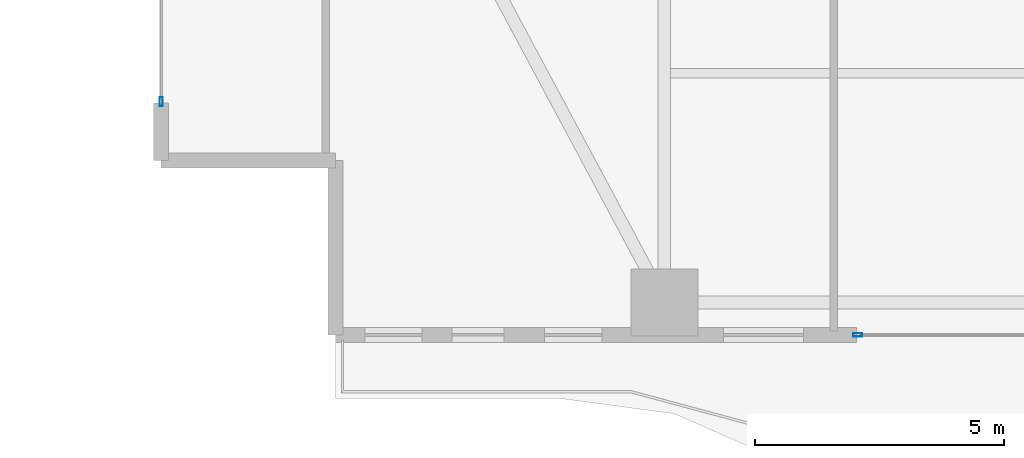
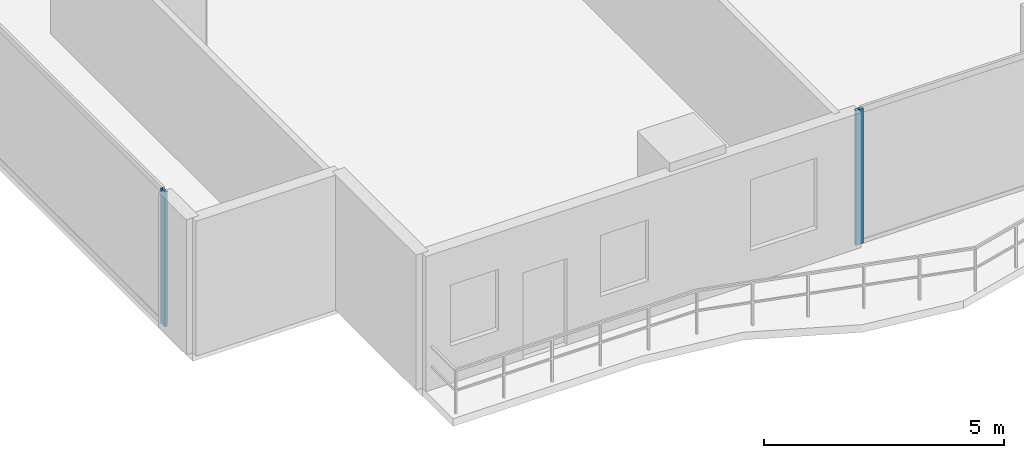
# One storey, part 2 of 28: 2 members, 2 elements without a shape of their own.
"""IFC4 building model written with IfcOpenShell, lengths in metres."""

from ifc_helpers import new_model, si_unit, direction, frame, origin, origin_2d, place, context, subcontext, project, spatial, hollow_rectangle, extrude, material, layer, layer_set, material_profile, profile_set, type_object, element, aggregate, save


model = new_model("IFC4")

# Units and contexts
model_context = context("Model", 3, precision=1e-05, world=origin(), true_north=direction((0.0, 1.0)))
body_context = subcontext(model_context, "Body", "Model", "MODEL_VIEW")
ifc_project = project(units=[si_unit("LENGTHUNIT", "METRE"), si_unit("AREAUNIT", "SQUARE_METRE"), si_unit("VOLUMEUNIT", "CUBIC_METRE"), si_unit("PLANEANGLEUNIT", "RADIAN"), si_unit("MASSUNIT", "GRAM", prefix="KILO")], contexts=[model_context])

# Site, building, storey
site_placement = place(None, origin())
site = spatial("IfcSite", under=ifc_project, at=site_placement, CompositionType="ELEMENT")
building_placement = place(site_placement, origin())
building = spatial("IfcBuilding", under=site, at=building_placement, Name="Zuhayl Quay Hotel", CompositionType="ELEMENT")
storey_placement = place(building_placement, frame((0.0, 0.0, 146.75)))
storey = spatial("IfcBuildingStorey", under=building, at=storey_placement, Name="L37", CompositionType="ELEMENT", Elevation=146.75)

# Curtain wall, member
ifc_material_1 = material(Name="Anodised Aluminium 6063-T6", Category="aluminium")
ifc_layer = layer(ifc_material_1, 0.179931640625, Name="Anodised Aluminium 6063-T6", Category="aluminium")
ifc_layer_set = layer_set([ifc_layer], Name="Anodised Aluminium 6063-T6")
curtain_wall_type = type_object("IfcCurtainWallType", Name="CW_SYS_Z2", PredefinedType="USERDEFINED", material=ifc_layer_set)
curtain_wall_1_placement = place(storey_placement, origin())
curtain_wall_1 = element("IfcCurtainWall", 1, at=curtain_wall_1_placement, inside=storey, type_object=curtain_wall_type, Name="L37 Curtain Wall ENV_L37_E02_CW1", ObjectType="UNITISED CURTAIN WALL", PredefinedType="USERDEFINED")
ifc_material_2 = material(Name="Black-anodised aluminium 6063-T6", Category="aluminium")
ifc_material_profile = material_profile(ifc_material_2, hollow_rectangle(XDim=0.06494140625, YDim=0.179931640625, WallThickness=0.00341796875, at=origin_2d()), Name="ALU180X65")
ifc_profile_set = profile_set([ifc_material_profile], Name="Black-anodised aluminium 6063-T6")
member_type = type_object("IfcMemberType", Name="MB_CW_MUL_180", PredefinedType="MULLION", material=ifc_profile_set)
member_1_placement = place(storey_placement, frame((-23.89990234375, -10.717529296875, 0.0), z_axis=(0.0, 0.0, 1.0), x_axis=(-1.0, 0.0, 0.0)))
member_1 = element("IfcMember", 2, at=member_1_placement, type_object=member_type, Name="CW-Z2 mullion 1", PredefinedType="MULLION", context=body_context, shape_type="SweptSolid", body=[
    extrude(hollow_rectangle(XDim=0.06494140625, YDim=0.179931640625, WallThickness=0.00341796875, at=origin_2d()), origin(), (0.0, 0.0, 1.0), 3.429931640625),
])
aggregate(curtain_wall_1, [member_1])

curtain_wall_2_placement = place(storey_placement, origin())
curtain_wall_2 = element("IfcCurtainWall", 3, at=curtain_wall_2_placement, inside=storey, type_object=curtain_wall_type, Name="L37 Curtain Wall ENV_L37_S_CW6", ObjectType="UNITISED CURTAIN WALL", PredefinedType="USERDEFINED")
member_2_placement = place(storey_placement, frame((-9.91748046875, -15.39990234375, 0.0), z_axis=(0.0, 0.0, 1.0), x_axis=(0.0, -1.0, 0.0)))
member_2 = element("IfcMember", 4, at=member_2_placement, type_object=member_type, Name="CW-Z2 mullion 2", PredefinedType="MULLION", context=body_context, shape_type="SweptSolid", body=[
    extrude(hollow_rectangle(XDim=0.06494140625, YDim=0.179931640625, WallThickness=0.00341796875, at=origin_2d()), origin(), (0.0, 0.0, 1.0), 3.429931640625),
])
aggregate(curtain_wall_2, [member_2])

save(model, "model.ifc")
